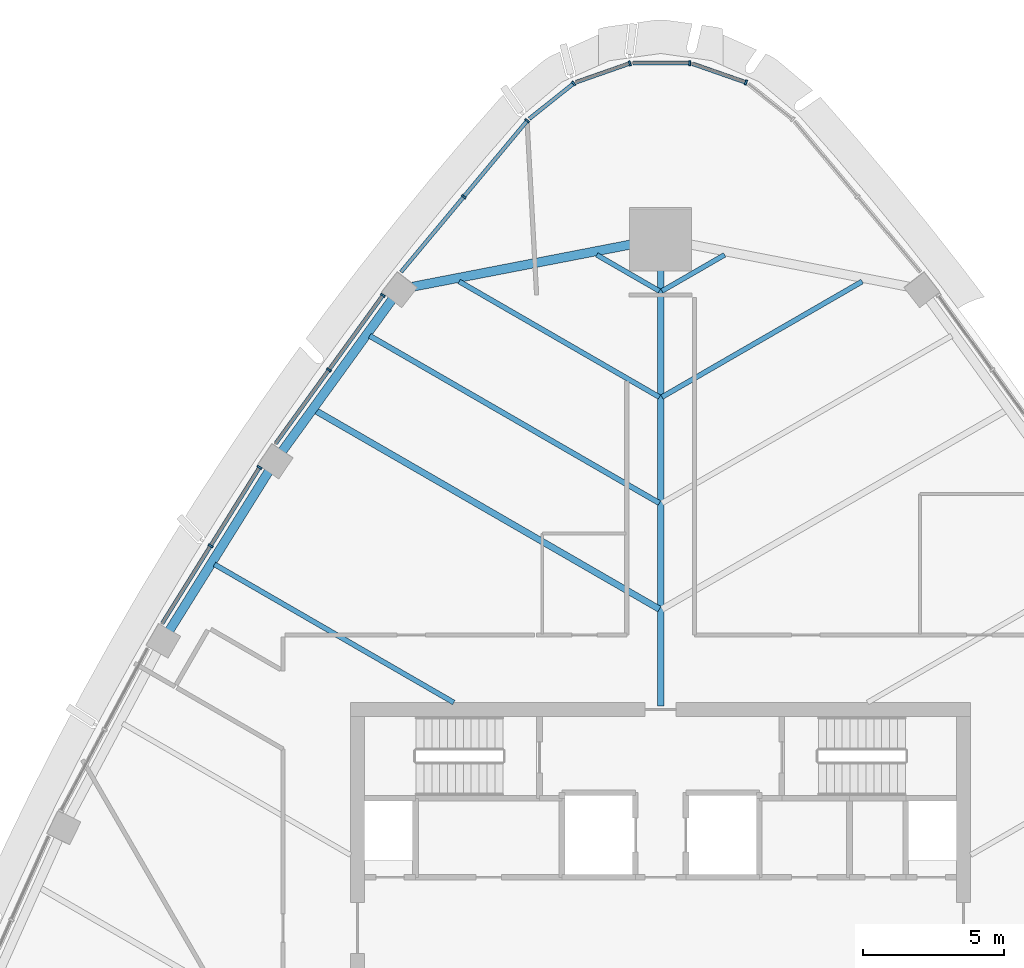
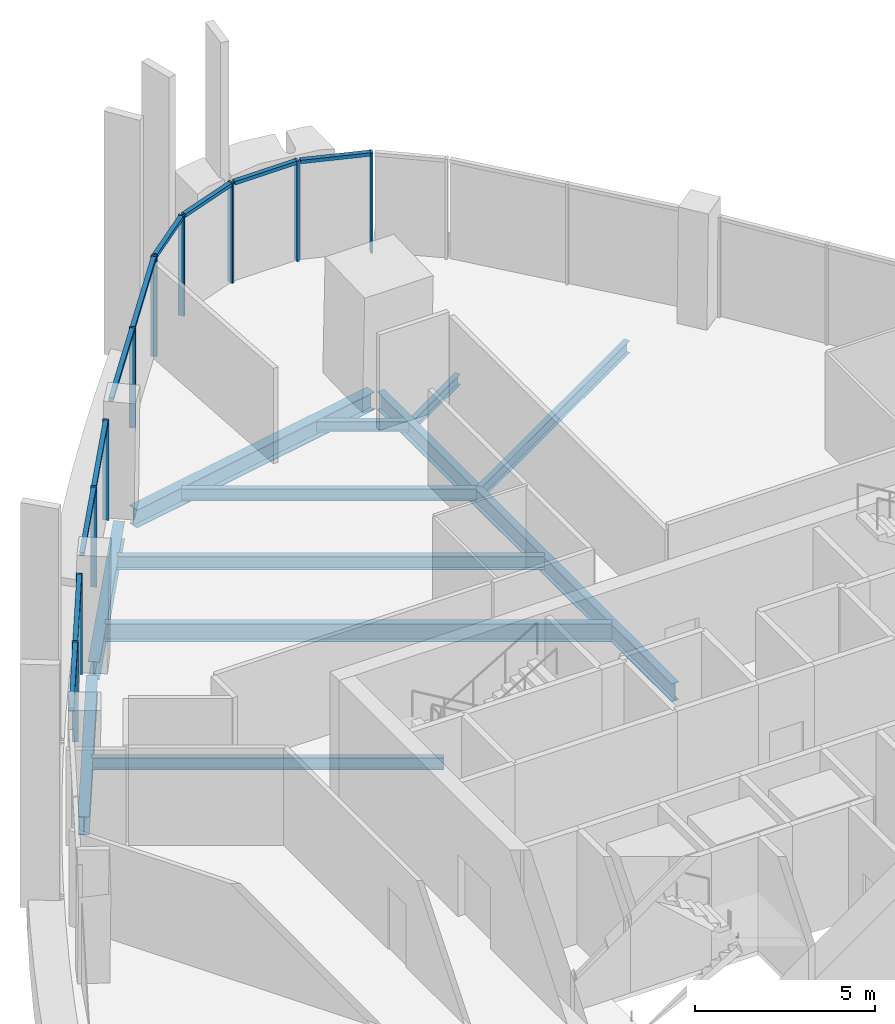
# One storey, part 5 of 16: 20 members, 11 beams, 7 elements without a shape of their own.
"""IFC4 building model written with IfcOpenShell, lengths in metres."""

from ifc_helpers import new_model, si_unit, direction, frame, origin, origin_2d, place, context, subcontext, project, spatial, rectangle, i_section, extrude, material, layer, layer_set, material_profile, profile_set, type_object, element, aggregate, save


model = new_model("IFC4")

# Units and contexts
model_context = context("Model", 3, precision=1e-05, world=origin(), true_north=direction((0.0, 1.0)))
body_context = subcontext(model_context, "Body", "Model", "MODEL_VIEW")
ifc_project = project(units=[si_unit("LENGTHUNIT", "METRE"), si_unit("AREAUNIT", "SQUARE_METRE"), si_unit("VOLUMEUNIT", "CUBIC_METRE"), si_unit("PLANEANGLEUNIT", "RADIAN"), si_unit("MASSUNIT", "GRAM", prefix="KILO")], contexts=[model_context])

# Site, building, storey
site_placement = place(None, origin())
site = spatial("IfcSite", under=ifc_project, at=site_placement, CompositionType="ELEMENT")
building_placement = place(site_placement, origin())
building = spatial("IfcBuilding", under=site, at=building_placement, Name="Sierra Prisma Convention Tower", CompositionType="ELEMENT")
storey_placement = place(building_placement, frame((0.0, 0.0, 271.0)))
storey = spatial("IfcBuildingStorey", under=building, at=storey_placement, Name="L61", CompositionType="ELEMENT", Elevation=271.0)

# Curtain wall, member
ifc_material_1 = material(Name="Aluminium and glass curtain wall", Category="aluminium")
ifc_layer = layer(ifc_material_1, 0.179931640625)
ifc_layer_set = layer_set([ifc_layer], Name="CW-1 Plain shaft curtain wall")
curtain_wall_type = type_object("IfcCurtainWallType", Name="CW-1 Plain shaft curtain wall", PredefinedType="NOTDEFINED", material=ifc_layer_set)
curtain_wall_1_placement = place(storey_placement, origin())
curtain_wall_1 = element("IfcCurtainWall", 1, at=curtain_wall_1_placement, inside=storey, type_object=curtain_wall_type, Name="CW-1 N2 L61", PredefinedType="NOTDEFINED")
ifc_material_2 = material(Name="Aluminium 6063-T6 bronze anodised", Category="aluminium")
ifc_material_profile_1 = material_profile(ifc_material_2, rectangle(XDim=0.179931640625, YDim=0.070068359375, at=origin_2d()), Name="ALU MULLION 70x180")
ifc_profile_set_1 = profile_set([ifc_material_profile_1], Name="Aluminium 6063-T6 bronze anodised")
member_type_1 = type_object("IfcMemberType", Name="CW mullion bronze", PredefinedType="MULLION", material=ifc_profile_set_1)
member_1_placement = place(storey_placement, frame((3.0244140625, 29.99853515625, 0.0), z_axis=(0.0, 0.0, 1.0), x_axis=(-0.330230699461, -0.943900251686, 0.0)))
member_1 = element("IfcMember", 2, at=member_1_placement, type_object=member_type_1, Name="CW-1 mullion N2.1", PredefinedType="MULLION", context=body_context, shape_type="SweptSolid", body=[
    extrude(rectangle(XDim=0.179931640625, YDim=0.070068359375, at=origin_2d()), origin(), (0.0, 0.0, 1.0), 3.39990234375),
])

curtain_wall_2_placement = place(storey_placement, origin())
curtain_wall_2 = element("IfcCurtainWall", 3, at=curtain_wall_2_placement, inside=storey, type_object=curtain_wall_type, Name="CW-1 N3 L61", PredefinedType="NOTDEFINED")
member_2_placement = place(storey_placement, frame((1.023681640625, 30.686279296875, 0.0), z_axis=(0.0, 0.0, 1.0), x_axis=(0.0, -1.0, 0.0)))
member_2 = element("IfcMember", 4, at=member_2_placement, type_object=member_type_1, Name="CW-1 mullion N3.1", PredefinedType="MULLION", context=body_context, shape_type="SweptSolid", body=[
    extrude(rectangle(XDim=0.179931640625, YDim=0.070068359375, at=origin_2d()), origin(), (0.0, 0.0, 1.0), 3.39990234375),
])

curtain_wall_3_placement = place(storey_placement, origin())
curtain_wall_3 = element("IfcCurtainWall", 5, at=curtain_wall_3_placement, inside=storey, type_object=curtain_wall_type, Name="CW-1 N4 L61", PredefinedType="NOTDEFINED")
member_3_placement = place(storey_placement, frame((-1.091796875, 30.6748046875, 0.0), z_axis=(0.0, 0.0, 1.0), x_axis=(0.330230699461, -0.943900251686, 0.0)))
member_3 = element("IfcMember", 6, at=member_3_placement, type_object=member_type_1, Name="CW-1 mullion N4.1", PredefinedType="MULLION", context=body_context, shape_type="SweptSolid", body=[
    extrude(rectangle(XDim=0.179931640625, YDim=0.070068359375, at=origin_2d()), origin(), (0.0, 0.0, 1.0), 3.39990234375),
])

curtain_wall_4_placement = place(storey_placement, origin())
curtain_wall_4 = element("IfcCurtainWall", 7, at=curtain_wall_4_placement, inside=storey, type_object=curtain_wall_type, Name="CW-1 N5 L61", PredefinedType="NOTDEFINED")
member_4_placement = place(storey_placement, frame((-3.084716796875, 29.965087890625, 0.0), z_axis=(0.0, 0.0, 1.0), x_axis=(0.623409680658, -0.781895370278, 0.0)))
member_4 = element("IfcMember", 8, at=member_4_placement, type_object=member_type_1, Name="CW-1 mullion N5.1", PredefinedType="MULLION", context=body_context, shape_type="SweptSolid", body=[
    extrude(rectangle(XDim=0.179931640625, YDim=0.070068359375, at=origin_2d()), origin(), (0.0, 0.0, 1.0), 3.39990234375),
])

# Curtain wall, members
curtain_wall_5_placement = place(storey_placement, origin())
curtain_wall_5 = element("IfcCurtainWall", 9, at=curtain_wall_5_placement, inside=storey, type_object=curtain_wall_type, Name="CW-1 NW1 L61", PredefinedType="NOTDEFINED")
member_5_placement = place(storey_placement, frame((-4.7353515625, 28.64013671875, 0.0), z_axis=(0.0, 0.0, 1.0), x_axis=(0.767975706198, -0.640478972871, 0.0)))
member_5 = element("IfcMember", 10, at=member_5_placement, type_object=member_type_1, Name="CW-1 mullion NW1.1", PredefinedType="MULLION", context=body_context, shape_type="SweptSolid", body=[
    extrude(rectangle(XDim=0.179931640625, YDim=0.070068359375, at=origin_2d()), origin(), (0.0, 0.0, 1.0), 3.39990234375),
])
member_6_placement = place(storey_placement, frame((-6.98388671875, 25.94384765625, 0.0), z_axis=(0.0, 0.0, 1.0), x_axis=(0.767975706198, -0.640478972871, 0.0)))
member_6 = element("IfcMember", 11, at=member_6_placement, type_object=member_type_1, Name="CW-1 mullion NW1.2", PredefinedType="MULLION", context=body_context, shape_type="SweptSolid", body=[
    extrude(rectangle(XDim=0.179931640625, YDim=0.070068359375, at=origin_2d()), origin(), (0.0, 0.0, 1.0), 3.39990234375),
])

curtain_wall_6_placement = place(storey_placement, origin())
curtain_wall_6 = element("IfcCurtainWall", 12, at=curtain_wall_6_placement, inside=storey, type_object=curtain_wall_type, Name="CW-1 NW2 L61", PredefinedType="NOTDEFINED")
member_7_placement = place(storey_placement, frame((-9.853271484375, 22.44677734375, 0.0), z_axis=(0.0, 0.0, 1.0), x_axis=(0.810077184674, -0.586323251177, 0.0)))
member_7 = element("IfcMember", 13, at=member_7_placement, type_object=member_type_1, Name="CW-1 mullion NW2.1", PredefinedType="MULLION", context=body_context, shape_type="SweptSolid", body=[
    extrude(rectangle(XDim=0.179931640625, YDim=0.070068359375, at=origin_2d()), origin(), (0.0, 0.0, 1.0), 3.39990234375),
])
member_8_placement = place(storey_placement, frame((-11.76708984375, 19.802734375, 0.0), z_axis=(0.0, 0.0, 1.0), x_axis=(0.810077184674, -0.586323251177, 0.0)))
member_8 = element("IfcMember", 14, at=member_8_placement, type_object=member_type_1, Name="CW-1 mullion NW2.2", PredefinedType="MULLION", context=body_context, shape_type="SweptSolid", body=[
    extrude(rectangle(XDim=0.179931640625, YDim=0.070068359375, at=origin_2d()), origin(), (0.0, 0.0, 1.0), 3.39990234375),
])

curtain_wall_7_placement = place(storey_placement, origin())
curtain_wall_7 = element("IfcCurtainWall", 15, at=curtain_wall_7_placement, inside=storey, type_object=curtain_wall_type, Name="CW-1 NW3 L61", PredefinedType="NOTDEFINED")
member_9_placement = place(storey_placement, frame((-14.228271484375, 16.34423828125, 0.0), z_axis=(0.0, 0.0, 1.0), x_axis=(0.848366944855, -0.529408657728, 0.0)))
member_9 = element("IfcMember", 16, at=member_9_placement, type_object=member_type_1, Name="CW-1 mullion NW3.1", PredefinedType="MULLION", context=body_context, shape_type="SweptSolid", body=[
    extrude(rectangle(XDim=0.179931640625, YDim=0.070068359375, at=origin_2d()), origin(), (0.0, 0.0, 1.0), 3.39990234375),
])
member_10_placement = place(storey_placement, frame((-15.964599609375, 13.561767578125, 0.0), z_axis=(0.0, 0.0, 1.0), x_axis=(0.848366944855, -0.529408657728, 0.0)))
member_10 = element("IfcMember", 17, at=member_10_placement, type_object=member_type_1, Name="CW-1 mullion NW3.2", PredefinedType="MULLION", context=body_context, shape_type="SweptSolid", body=[
    extrude(rectangle(XDim=0.179931640625, YDim=0.070068359375, at=origin_2d()), origin(), (0.0, 0.0, 1.0), 3.39990234375),
])

# Member
ifc_material_3 = material(Name="Aluminium 6063-T6 bronze anodised", Category="aluminium")
ifc_material_profile_2 = material_profile(ifc_material_3, rectangle(XDim=0.139892578125, YDim=0.1201171875, at=origin_2d()), Name="ALU TRANSOM 120x140")
ifc_profile_set_2 = profile_set([ifc_material_profile_2], Name="Aluminium 6063-T6 bronze anodised")
member_type_2 = type_object("IfcMemberType", Name="CW transom bronze", PredefinedType="USERDEFINED", material=ifc_profile_set_2)
member_11_placement = place(storey_placement, frame((2.9912109375, 30.01025390625, 3.340087890625), z_axis=(-0.943925708835, 0.330157926151, 0.0), x_axis=(-0.330157926151, -0.943925708835, 0.0)))
member_11 = element("IfcMember", 18, at=member_11_placement, type_object=member_type_2, Name="CW-1 transom N2.1", ObjectType="TRANSOM", PredefinedType="USERDEFINED", context=body_context, shape_type="SweptSolid", body=[
    extrude(rectangle(XDim=0.139892578125, YDim=0.1201171875, at=origin_2d()), origin(), (0.0, 0.0, 1.0), 1.977294921875),
])

aggregate(curtain_wall_1, [member_1, member_11])

member_12_placement = place(storey_placement, frame((0.98876953125, 30.686279296875, 3.340087890625), z_axis=(-1.0, 0.0, 0.0), x_axis=(0.0, -1.0, 0.0)))
member_12 = element("IfcMember", 19, at=member_12_placement, type_object=member_type_2, Name="CW-1 transom N3.1", ObjectType="TRANSOM", PredefinedType="USERDEFINED", context=body_context, shape_type="SweptSolid", body=[
    extrude(rectangle(XDim=0.139892578125, YDim=0.1201171875, at=origin_2d()), origin(), (0.0, 0.0, 1.0), 1.9775390625),
])

aggregate(curtain_wall_2, [member_2, member_12])

member_13_placement = place(storey_placement, frame((-1.124755859375, 30.6630859375, 3.340087890625), z_axis=(-0.943925708835, -0.330157926151, 0.0), x_axis=(0.330157926151, -0.943925708835, 0.0)))
member_13 = element("IfcMember", 20, at=member_13_placement, type_object=member_type_2, Name="CW-1 transom N4.1", ObjectType="TRANSOM", PredefinedType="USERDEFINED", context=body_context, shape_type="SweptSolid", body=[
    extrude(rectangle(XDim=0.139892578125, YDim=0.1201171875, at=origin_2d()), origin(), (0.0, 0.0, 1.0), 1.977294921875),
])

aggregate(curtain_wall_3, [member_3, member_13])

member_14_placement = place(storey_placement, frame((-3.112060546875, 29.943359375, 3.340087890625), z_axis=(-0.781915673363, -0.623384215191, 0.0), x_axis=(0.623384215191, -0.781915673363, 0.0)))
member_14 = element("IfcMember", 21, at=member_14_placement, type_object=member_type_2, Name="CW-1 transom N5.1", ObjectType="TRANSOM", PredefinedType="USERDEFINED", context=body_context, shape_type="SweptSolid", body=[
    extrude(rectangle(XDim=0.139892578125, YDim=0.1201171875, at=origin_2d()), origin(), (0.0, 0.0, 1.0), 1.977294921875),
])

aggregate(curtain_wall_4, [member_4, member_14])

member_15_placement = place(storey_placement, frame((-4.7578125, 28.61328125, 3.340087890625), z_axis=(-0.640477463391, -0.767976965076, 0.0), x_axis=(0.767976965076, -0.640477463391, 0.0)))
member_15 = element("IfcMember", 22, at=member_15_placement, type_object=member_type_2, Name="CW-1 transom NW1.1", ObjectType="TRANSOM", PredefinedType="USERDEFINED", context=body_context, shape_type="SweptSolid", body=[
    extrude(rectangle(XDim=0.139892578125, YDim=0.1201171875, at=origin_2d()), origin(), (0.0, 0.0, 1.0), 3.44091796875),
])

member_16_placement = place(storey_placement, frame((-7.00634765625, 25.9169921875, 3.340087890625), z_axis=(-0.640512363589, -0.767947857663, 0.0), x_axis=(0.767947857663, -0.640512363589, 0.0)))
member_16 = element("IfcMember", 23, at=member_16_placement, type_object=member_type_2, Name="CW-1 transom NW1.2", ObjectType="TRANSOM", PredefinedType="USERDEFINED", context=body_context, shape_type="SweptSolid", body=[
    extrude(rectangle(XDim=0.139892578125, YDim=0.1201171875, at=origin_2d()), origin(), (0.0, 0.0, 1.0), 3.440673828125),
])

aggregate(curtain_wall_5, [member_5, member_6, member_15, member_16])

member_17_placement = place(storey_placement, frame((-9.873779296875, 22.41845703125, 3.340087890625), z_axis=(-0.586338623521, -0.810066058151, 0.0), x_axis=(0.810066058151, -0.586338623521, 0.0)))
member_17 = element("IfcMember", 24, at=member_17_placement, type_object=member_type_2, Name="CW-1 transom NW2.1", ObjectType="TRANSOM", PredefinedType="USERDEFINED", context=body_context, shape_type="SweptSolid", body=[
    extrude(rectangle(XDim=0.139892578125, YDim=0.1201171875, at=origin_2d()), origin(), (0.0, 0.0, 1.0), 3.194091796875),
])

member_18_placement = place(storey_placement, frame((-11.78759765625, 19.7744140625, 3.340087890625), z_axis=(-0.5863247692, -0.810076085947, 0.0), x_axis=(0.810076085947, -0.5863247692, 0.0)))
member_18 = element("IfcMember", 25, at=member_18_placement, type_object=member_type_2, Name="CW-1 transom NW2.2", ObjectType="TRANSOM", PredefinedType="USERDEFINED", context=body_context, shape_type="SweptSolid", body=[
    extrude(rectangle(XDim=0.139892578125, YDim=0.1201171875, at=origin_2d()), origin(), (0.0, 0.0, 1.0), 3.193603515625),
])

aggregate(curtain_wall_6, [member_7, member_8, member_17, member_18])

member_19_placement = place(storey_placement, frame((-14.246826171875, 16.314453125, 3.340087890625), z_axis=(-0.52938347679, -0.848382658063, 0.0), x_axis=(0.848382658063, -0.52938347679, 0.0)))
member_19 = element("IfcMember", 26, at=member_19_placement, type_object=member_type_2, Name="CW-1 transom NW3.1", ObjectType="TRANSOM", PredefinedType="USERDEFINED", context=body_context, shape_type="SweptSolid", body=[
    extrude(rectangle(XDim=0.139892578125, YDim=0.1201171875, at=origin_2d()), origin(), (0.0, 0.0, 1.0), 3.209716796875),
])

member_20_placement = place(storey_placement, frame((-15.983154296875, 13.531982421875, 3.340087890625), z_axis=(-0.529417638994, -0.848361340186, 0.0), x_axis=(0.848361340186, -0.529417638994, 0.0)))
member_20 = element("IfcMember", 27, at=member_20_placement, type_object=member_type_2, Name="CW-1 transom NW3.2", ObjectType="TRANSOM", PredefinedType="USERDEFINED", context=body_context, shape_type="SweptSolid", body=[
    extrude(rectangle(XDim=0.139892578125, YDim=0.1201171875, at=origin_2d()), origin(), (0.0, 0.0, 1.0), 3.209716796875),
])

aggregate(curtain_wall_7, [member_9, member_10, member_19, member_20])

# Beams
ifc_material_4 = material(Name="Steel ASTM A992 Gr 50", Category="steel")
ifc_material_profile_3 = material_profile(ifc_material_4, i_section(OverallWidth=0.172119140625, OverallDepth=0.35791015625, WebThickness=0.0078125, FlangeThickness=0.01318359375, at=origin_2d()), Name="W360x57")
ifc_profile_set_3 = profile_set([ifc_material_profile_3], Name="Steel ASTM A992 Gr 50")
beam_type_1 = type_object("IfcBeamType", Name="Floor joist W360x57", PredefinedType="JOIST", material=ifc_profile_set_3)
for number, where, z_axis, x_axis, name in (
    (28, (2.268798828125, 23.8828125, -0.3291015625), (-0.866057289563, -0.499944768143, 0.0), (0.499944768143, -0.866057289563, 0.0), "Floor joist L61 NE13"),
    (29, (-2.268798828125, 23.8828125, -0.3291015625), (0.866057289563, -0.499944768143, 0.0), (0.499944768143, 0.866057289563, 0.0), "Floor joist L61 NW01"),
):
    element("IfcBeam", number, at=place(storey_placement, frame(where, z_axis=z_axis, x_axis=x_axis)), inside=storey, type_object=beam_type_1, Name=name, PredefinedType="JOIST", context=body_context, shape_type="SweptSolid", body=[
        extrude(i_section(OverallWidth=0.172119140625, OverallDepth=0.35791015625, WebThickness=0.0078125, FlangeThickness=0.01318359375, at=origin_2d()), origin(), (0.0, 0.0, 1.0), 2.566650390625),
    ])
ifc_material_5 = material(Name="Steel ASTM A992 Gr 50", Category="steel")
ifc_material_profile_4 = material_profile(ifc_material_5, i_section(OverallWidth=0.177978515625, OverallDepth=0.406982421875, WebThickness=0.0078125, FlangeThickness=0.0126953125, at=origin_2d()), Name="W410x60")
ifc_profile_set_4 = profile_set([ifc_material_profile_4], Name="Steel ASTM A992 Gr 50")
beam_type_2 = type_object("IfcBeamType", Name="Floor joist W410x60", PredefinedType="JOIST", material=ifc_profile_set_4)
for number, where, z_axis, x_axis, name in (
    (30, (7.14892578125, 22.938232421875, -0.353515625), (-0.866030929801, -0.499990428537, 0.0), (0.499990428537, -0.866030929801, 0.0), "Floor joist L61 NE12"),
    (31, (-7.14892578125, 22.938232421875, -0.353515625), (0.866030929801, -0.499990428537, 0.0), (0.499990428537, 0.866030929801, 0.0), "Floor joist L61 NW02"),
):
    element("IfcBeam", number, at=place(storey_placement, frame(where, z_axis=z_axis, x_axis=x_axis)), inside=storey, type_object=beam_type_2, Name=name, PredefinedType="JOIST", context=body_context, shape_type="SweptSolid", body=[
        extrude(i_section(OverallWidth=0.177978515625, OverallDepth=0.406982421875, WebThickness=0.0078125, FlangeThickness=0.0126953125, at=origin_2d()), origin(), (0.0, 0.0, 1.0), 8.201904296875),
    ])
beam_1_placement = place(storey_placement, frame((-15.8310546875, 12.90234375, -0.353515625), z_axis=(0.866021791814, -0.500006256063, 0.0), x_axis=(0.500006256063, 0.866021791814, 0.0)))
element("IfcBeam", 32, at=beam_1_placement, inside=storey, type_object=beam_type_2, Name="Floor joist L61 NW06", PredefinedType="JOIST", context=body_context, shape_type="SweptSolid", body=[
    extrude(i_section(OverallWidth=0.177978515625, OverallDepth=0.406982421875, WebThickness=0.0078125, FlangeThickness=0.0126953125, at=origin_2d()), origin(), (0.0, 0.0, 1.0), 9.804443359375),
])
ifc_material_6 = material(Name="Steel ASTM A992 Gr 50", Category="steel")
ifc_material_profile_5 = material_profile(ifc_material_6, i_section(OverallWidth=0.18994140625, OverallDepth=0.45703125, WebThickness=0.009033203125, FlangeThickness=0.014404296875, at=origin_2d()), Name="W460x74")
ifc_profile_set_5 = profile_set([ifc_material_profile_5], Name="Steel ASTM A992 Gr 50")
beam_type_3 = type_object("IfcBeamType", Name="Floor joist W460x74", PredefinedType="JOIST", material=ifc_profile_set_5)
beam_2_placement = place(storey_placement, frame((-10.3232421875, 21.0087890625, -0.37841796875), z_axis=(0.866026623601, -0.49999788721, 0.0), x_axis=(0.49999788721, 0.866026623601, 0.0)))
element("IfcBeam", 33, at=beam_2_placement, inside=storey, type_object=beam_type_3, Name="Floor joist L61 NW03", PredefinedType="JOIST", context=body_context, shape_type="SweptSolid", body=[
    extrude(i_section(OverallWidth=0.18994140625, OverallDepth=0.45703125, WebThickness=0.009033203125, FlangeThickness=0.014404296875, at=origin_2d()), origin(), (0.0, 0.0, 1.0), 11.8671875),
])
ifc_material_7 = material(Name="Steel ASTM A992 Gr 50", Category="steel")
ifc_material_profile_6 = material_profile(ifc_material_7, i_section(OverallWidth=0.22802734375, OverallDepth=0.60302734375, WebThickness=0.010498046875, FlangeThickness=0.014892578125, at=origin_2d()), Name="W610x101")
ifc_profile_set_6 = profile_set([ifc_material_profile_6], Name="Steel ASTM A992 Gr 50")
beam_type_4 = type_object("IfcBeamType", Name="Floor joist W610x101", PredefinedType="JOIST", material=ifc_profile_set_6)
beam_3_placement = place(storey_placement, frame((-12.24365234375, 18.35546875, -0.451416015625), z_axis=(0.866022207469, -0.50000553614, 0.0), x_axis=(0.50000553614, 0.866022207469, 0.0)))
element("IfcBeam", 34, at=beam_3_placement, inside=storey, type_object=beam_type_4, Name="Floor joist L61 NW04", PredefinedType="JOIST", context=body_context, shape_type="SweptSolid", body=[
    extrude(i_section(OverallWidth=0.22802734375, OverallDepth=0.60302734375, WebThickness=0.010498046875, FlangeThickness=0.014892578125, at=origin_2d()), origin(), (0.0, 0.0, 1.0), 14.084716796875),
])
ifc_material_8 = material(Name="Steel ASTM A992 Gr 50", Category="steel")
ifc_material_profile_7 = material_profile(ifc_material_8, i_section(OverallWidth=0.22998046875, OverallDepth=0.616943359375, WebThickness=0.01318359375, FlangeThickness=0.022216796875, at=origin_2d()), Name="W610x140")
ifc_profile_set_7 = profile_set([ifc_material_profile_7], Name="Steel ASTM A992 Gr 50")
beam_type_5 = type_object("IfcBeamType", Name="Radial girder W610x140", PredefinedType="BEAM", material=ifc_profile_set_7)
beam_4_placement = place(storey_placement, frame((0.0, 24.234130859375, -0.45849609375), z_axis=(0.0, -1.0, 0.0), x_axis=(1.0, 0.0, 0.0)))
element("IfcBeam", 35, at=beam_4_placement, inside=storey, type_object=beam_type_5, Name="Radial girder L61 N", PredefinedType="BEAM", context=body_context, shape_type="SweptSolid", body=[
    extrude(i_section(OverallWidth=0.22998046875, OverallDepth=0.616943359375, WebThickness=0.01318359375, FlangeThickness=0.022216796875, at=origin_2d()), origin(), (0.0, 0.0, 1.0), 16.354248046875),
])
ifc_material_9 = material(Name="Steel ASTM A992 Gr 50", Category="steel")
ifc_material_profile_8 = material_profile(ifc_material_9, i_section(OverallWidth=0.324951171875, OverallDepth=0.615966796875, WebThickness=0.013916015625, FlangeThickness=0.021484375, at=origin_2d()), Name="W610x174")
ifc_profile_set_8 = profile_set([ifc_material_profile_8], Name="Steel ASTM A992 Gr 50")
beam_type_6 = type_object("IfcBeamType", Name="Spandrel beam W610x174", PredefinedType="BEAM", material=ifc_profile_set_8)
beam_5_placement = place(storey_placement, frame((-0.219970703125, 24.41162109375, -0.4580078125), z_axis=(-0.981775309803, -0.190045365799, 0.0), x_axis=(0.190045365799, -0.981775309803, 0.0)))
element("IfcBeam", 36, at=beam_5_placement, inside=storey, type_object=beam_type_6, Name="Spandrel L61-13", PredefinedType="BEAM", context=body_context, shape_type="SweptSolid", body=[
    extrude(i_section(OverallWidth=0.324951171875, OverallDepth=0.615966796875, WebThickness=0.013916015625, FlangeThickness=0.021484375, at=origin_2d()), origin(), (0.0, 0.0, 1.0), 8.73681640625),
])
for number, where, z_axis, x_axis, name in (
    (37, (-9.46044921875, 22.392822265625, -0.4580078125), (-0.58633260949, -0.810070411168, 0.0), (0.810070411168, -0.58633260949, 0.0), "Spandrel L61-14"),
    (38, (-13.849609375, 16.290283203125, -0.4580078125), (-0.529413128708, -0.848364154801, 0.0), (0.848364154801, -0.529413128708, 0.0), "Spandrel L61-15"),
):
    element("IfcBeam", number, at=place(storey_placement, frame(where, z_axis=z_axis, x_axis=x_axis)), inside=storey, type_object=beam_type_6, Name=name, PredefinedType="BEAM", context=body_context, shape_type="SweptSolid", body=[
        extrude(i_section(OverallWidth=0.324951171875, OverallDepth=0.615966796875, WebThickness=0.013916015625, FlangeThickness=0.021484375, at=origin_2d()), origin(), (0.0, 0.0, 1.0), 6.85693359375),
    ])

save(model, "model.ifc")
